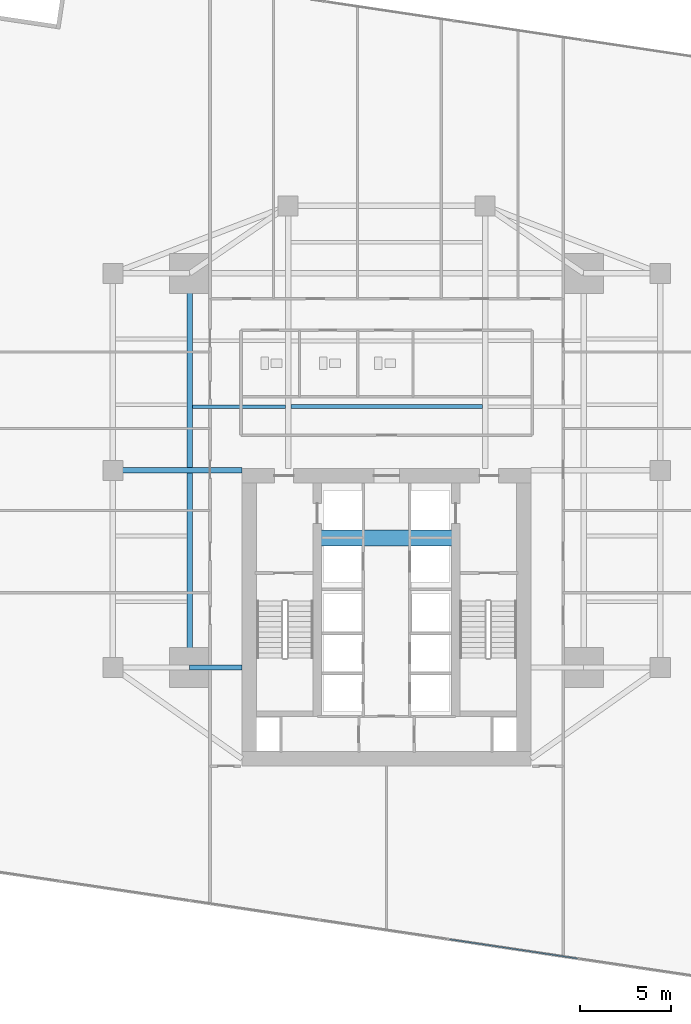
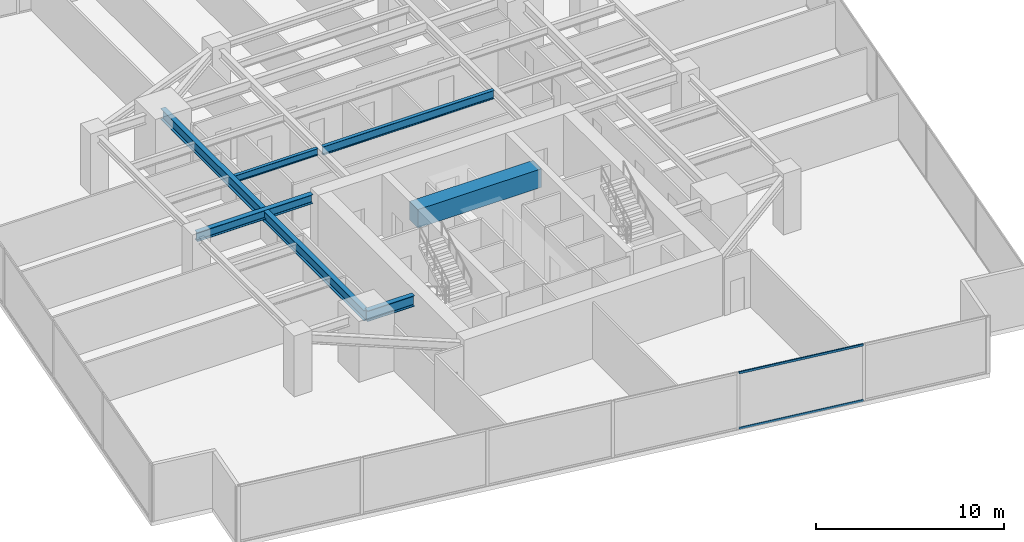
# One storey, part 9 of 29: 6 beams, 2 members, 1 element without a shape of its own.
"""IFC4 building model written with IfcOpenShell, lengths in metres."""

from ifc_helpers import new_model, si_unit, direction, frame, origin, origin_2d, place, context, subcontext, project, spatial, rectangle, hollow_rectangle, i_section, extrude, source, transform, mapped, material, material_profile, profile_set, type_object, type_shapes, element, aggregate, save


model = new_model("IFC4")

# Units and contexts
model_context = context("Model", 3, precision=1e-05, world=origin(), true_north=direction((0.0, 1.0)))
body_context = subcontext(model_context, "Body", "Model", "MODEL_VIEW")
ifc_project = project(units=[si_unit("LENGTHUNIT", "METRE"), si_unit("AREAUNIT", "SQUARE_METRE"), si_unit("VOLUMEUNIT", "CUBIC_METRE"), si_unit("PLANEANGLEUNIT", "RADIAN"), si_unit("MASSUNIT", "GRAM", prefix="KILO")], contexts=[model_context])

# Site, building, storey
site_placement = place(None, origin())
site = spatial("IfcSite", under=ifc_project, at=site_placement, CompositionType="ELEMENT")
building_placement = place(site_placement, origin())
building = spatial("IfcBuilding", under=site, at=building_placement, Name="Krantzveldt Concourse Tower", CompositionType="ELEMENT")
storey_placement = place(building_placement, frame((0.0, 0.0, 72.39990234375)))
storey = spatial("IfcBuildingStorey", under=building, at=storey_placement, Name="L17", CompositionType="ELEMENT", Elevation=72.39990234375)

# Beams
ifc_material_1 = material(Name="Concrete C50/60", Category="concrete")
ifc_material_profile_1 = material_profile(ifc_material_1, rectangle(XDim=0.89990234375, YDim=1.199951171875, at=origin_2d()), Name="Concrete C50/60", Category="concrete")
ifc_profile_set_1 = profile_set([ifc_material_profile_1], Name="Concrete C50/60 - RC-CB 900x1200")
beam_type_1 = type_object("IfcBeamType", Name="BM-CB-1200", PredefinedType="LINTEL", material=ifc_profile_set_1)
shared_shape_1 = source(origin(), body_context, "Body", "SweptSolid", [
    extrude(rectangle(XDim=0.89990234375, YDim=1.199951171875, at=origin_2d()), origin(), (0.0, 0.0, 1.0), 7.580078125),
])
type_shapes(beam_type_1, [shared_shape_1])
beam_1_placement = place(storey_placement, frame((32.2099609375, 23.0, 3.070068359375), z_axis=(1.0, 0.0, 0.0), x_axis=(0.0, 1.0, 0.0)))
element("IfcBeam", 1, at=beam_1_placement, inside=storey, type_object=beam_type_1, Name="CB-L17-01", PredefinedType="LINTEL", context=body_context, shape_type="MappedRepresentation", body=[
    mapped(shared_shape_1, transform((0.0, 0.0, 0.0), x_axis=(1.0, 0.0, 0.0), y_axis=(0.0, 1.0, 0.0), z_axis=(0.0, 0.0, 1.0), scale=1.0)),
])
ifc_material_2 = material(Name="Steel S355J2", Category="steel")
ifc_material_profile_2 = material_profile(ifc_material_2, i_section(OverallWidth=0.300048828125, OverallDepth=0.699951171875, WebThickness=0.01708984375, FlangeThickness=0.031982421875, FilletRadius=0.027099609375, at=origin_2d()), Name="Steel S355J2", Category="steel")
ifc_profile_set_2 = profile_set([ifc_material_profile_2], Name="Steel S355J2 - HEB 700")
beam_type_2 = type_object("IfcBeamType", Name="BM-B-HEB700", PredefinedType="BEAM", material=ifc_profile_set_2)
shared_shape_2 = source(origin(), body_context, "Body", "SweptSolid", [
    extrude(i_section(OverallWidth=0.300048828125, OverallDepth=0.699951171875, WebThickness=0.01708984375, FlangeThickness=0.031982421875, FilletRadius=0.027099609375, at=origin_2d()), origin(), (0.0, 0.0, 1.0), 2.880126953125),
])
beam_2_placement = place(storey_placement, frame((25.199951171875, 15.89990234375, 3.320068359375), z_axis=(1.0, 0.0, 0.0), x_axis=(0.0, 1.0, 0.0)))
element("IfcBeam", 2, at=beam_2_placement, inside=storey, type_object=beam_type_2, Name="L17 Tower Girder BG-CW1", PredefinedType="BEAM", context=body_context, shape_type="MappedRepresentation", body=[
    mapped(shared_shape_2, transform((0.0, 0.0, 0.0), x_axis=(1.0, 0.0, 0.0), y_axis=(0.0, 1.0, 0.0), z_axis=(0.0, 0.0, 1.0), scale=1.0)),
])
shared_shape_3 = source(origin(), body_context, "Body", "SweptSolid", [
    extrude(i_section(OverallWidth=0.300048828125, OverallDepth=0.699951171875, WebThickness=0.01708984375, FlangeThickness=0.031982421875, FilletRadius=0.027099609375, at=origin_2d()), origin(), (0.0, 0.0, 1.0), 21.60009765625),
])
type_shapes(beam_type_2, [shared_shape_2, shared_shape_3])
beam_3_placement = place(storey_placement, frame((25.199951171875, 15.89990234375, 3.320068359375), z_axis=(0.0, 1.0, 0.0), x_axis=(-1.0, 0.0, 0.0)))
element("IfcBeam", 3, at=beam_3_placement, inside=storey, type_object=beam_type_2, Name="L17 Tower Girder BG-MW", PredefinedType="BEAM", context=body_context, shape_type="MappedRepresentation", body=[
    mapped(shared_shape_3, transform((0.0, 0.0, 0.0), x_axis=(1.0, 0.0, 0.0), y_axis=(0.0, 1.0, 0.0), z_axis=(0.0, 0.0, 1.0), scale=1.0)),
])
ifc_material_3 = material(Name="Steel S355JR", Category="steel")
ifc_material_profile_3 = material_profile(ifc_material_3, i_section(OverallWidth=0.300048828125, OverallDepth=0.590087890625, WebThickness=0.012939453125, FlangeThickness=0.02490234375, FilletRadius=0.027099609375, at=origin_2d()), Name="Steel S355JR", Category="steel")
ifc_profile_set_3 = profile_set([ifc_material_profile_3], Name="Steel S355JR - HEA 600")
beam_type_3 = type_object("IfcBeamType", Name="BM-B-HEA600", PredefinedType="BEAM", material=ifc_profile_set_3)
shared_shape_4 = source(origin(), body_context, "Body", "SweptSolid", [
    extrude(i_section(OverallWidth=0.300048828125, OverallDepth=0.590087890625, WebThickness=0.012939453125, FlangeThickness=0.02490234375, FilletRadius=0.027099609375, at=origin_2d()), origin(), (0.0, 0.0, 1.0), 7.080078125),
])
type_shapes(beam_type_3, [shared_shape_4])
beam_4_placement = place(storey_placement, frame((21.0, 26.699951171875, 3.375), z_axis=(1.0, 0.0, 0.0), x_axis=(0.0, 1.0, 0.0)))
element("IfcBeam", 4, at=beam_4_placement, inside=storey, type_object=beam_type_3, Name="L17 Tower Girder BG-CW2", PredefinedType="BEAM", context=body_context, shape_type="MappedRepresentation", body=[
    mapped(shared_shape_4, transform((0.0, 0.0, 0.0), x_axis=(1.0, 0.0, 0.0), y_axis=(0.0, 1.0, 0.0), z_axis=(0.0, 0.0, 1.0), scale=1.0)),
])
ifc_material_profile_4 = material_profile(ifc_material_3, i_section(OverallWidth=0.2099609375, OverallDepth=0.550048828125, WebThickness=0.010986328125, FlangeThickness=0.01708984375, FilletRadius=0.02392578125, at=origin_2d()), Name="Steel S355JR", Category="steel")
ifc_profile_set_4 = profile_set([ifc_material_profile_4], Name="Steel S355JR - IPE 550")
beam_type_4 = type_object("IfcBeamType", Name="BM-J-IPE550", PredefinedType="JOIST", material=ifc_profile_set_4)
shared_shape_5 = source(origin(), body_context, "Body", "SweptSolid", [
    extrude(i_section(OverallWidth=0.2099609375, OverallDepth=0.550048828125, WebThickness=0.010986328125, FlangeThickness=0.01708984375, FilletRadius=0.02392578125, at=origin_2d()), origin(), (0.0, 0.0, 1.0), 10.5),
])
type_shapes(beam_type_4, [shared_shape_5])
beam_5_placement = place(storey_placement, frame((30.75, 30.199951171875, 3.39501953125), z_axis=(1.0, 0.0, 0.0), x_axis=(0.0, 1.0, 0.0)))
element("IfcBeam", 5, at=beam_5_placement, inside=storey, type_object=beam_type_4, Name="L17 Secondary Floor Joist JN-C1", PredefinedType="JOIST", context=body_context, shape_type="MappedRepresentation", body=[
    mapped(shared_shape_5, transform((0.0, 0.0, 0.0), x_axis=(1.0, 0.0, 0.0), y_axis=(0.0, 1.0, 0.0), z_axis=(0.0, 0.0, 1.0), scale=1.0)),
])
ifc_material_profile_5 = material_profile(ifc_material_3, i_section(OverallWidth=0.18994140625, OverallDepth=0.449951171875, WebThickness=0.009521484375, FlangeThickness=0.0146484375, FilletRadius=0.02099609375, at=origin_2d()), Name="Steel S355JR", Category="steel")
ifc_profile_set_5 = profile_set([ifc_material_profile_5], Name="Steel S355JR - IPE 450")
beam_type_5 = type_object("IfcBeamType", Name="BM-J-IPE450", PredefinedType="JOIST", material=ifc_profile_set_5)
shared_shape_6 = source(origin(), body_context, "Body", "SweptSolid", [
    extrude(i_section(OverallWidth=0.18994140625, OverallDepth=0.449951171875, WebThickness=0.009521484375, FlangeThickness=0.0146484375, FilletRadius=0.02099609375, at=origin_2d()), origin(), (0.0, 0.0, 1.0), 5.099853515625),
])
type_shapes(beam_type_5, [shared_shape_6])
beam_6_placement = place(storey_placement, frame((25.35009765625, 30.199951171875, 3.445068359375), z_axis=(1.0, 0.0, 0.0), x_axis=(0.0, 1.0, 0.0)))
element("IfcBeam", 6, at=beam_6_placement, inside=storey, type_object=beam_type_5, Name="L17 Secondary Floor Joist JN-W1", PredefinedType="JOIST", context=body_context, shape_type="MappedRepresentation", body=[
    mapped(shared_shape_6, transform((0.0, 0.0, 0.0), x_axis=(1.0, 0.0, 0.0), y_axis=(0.0, 1.0, 0.0), z_axis=(0.0, 0.0, 1.0), scale=1.0)),
])

# Curtain wall, members
ifc_material_4 = material(Name="Anodised aluminium 6063-T6", Category="aluminium")
curtain_wall_type = type_object("IfcCurtainWallType", Name="CW2", PredefinedType="USERDEFINED", material=ifc_material_4)
curtain_wall_placement = place(storey_placement, origin())
curtain_wall = element("IfcCurtainWall", 7, at=curtain_wall_placement, inside=storey, type_object=curtain_wall_type, Name="CW-L17-F04", ObjectType="UNITISED CURTAIN WALL", PredefinedType="USERDEFINED")
ifc_material_profile_6 = material_profile(ifc_material_4, hollow_rectangle(XDim=0.070068359375, YDim=0.139892578125, WallThickness=0.0048828125, at=origin_2d()), Name="Anodised aluminium 6063-T6", Category="aluminium")
ifc_profile_set_6 = profile_set([ifc_material_profile_6], Name="Anodised aluminium 6063-T6 - ALU-TRAN 140x70x5")
member_type = type_object("IfcMemberType", Name="CW-TRN-150", PredefinedType="USERDEFINED", material=ifc_profile_set_6)
shared_shape_7 = source(origin(), body_context, "Body", "SweptSolid", [
    extrude(hollow_rectangle(XDim=0.070068359375, YDim=0.139892578125, WallThickness=0.0048828125, at=origin_2d()), origin(), (0.0, 0.0, 1.0), 7.096435546875),
])
type_shapes(member_type, [shared_shape_7])
member_1_placement = place(storey_placement, frame((39.440673828125, 0.9990234375, 0.03515625), z_axis=(0.989017962398, -0.147795365468, 0.0), x_axis=(0.147795365468, 0.989017962398, 0.0)))
member_1 = element("IfcMember", 8, at=member_1_placement, type_object=member_type, Name="CW-Z12 transom 5.1", ObjectType="TRANSOM", PredefinedType="USERDEFINED", context=body_context, shape_type="MappedRepresentation", body=[
    mapped(shared_shape_7, transform((0.0, 0.0, 0.0), x_axis=(1.0, 0.0, 0.0), y_axis=(0.0, 1.0, 0.0), z_axis=(0.0, 0.0, 1.0), scale=1.0)),
])
member_2_placement = place(storey_placement, frame((39.440673828125, 0.9990234375, 3.635009765625), z_axis=(0.989017962398, -0.147795365468, 0.0), x_axis=(0.147795365468, 0.989017962398, 0.0)))
member_2 = element("IfcMember", 9, at=member_2_placement, type_object=member_type, Name="CW-Z12 transom 5.2", ObjectType="TRANSOM", PredefinedType="USERDEFINED", context=body_context, shape_type="MappedRepresentation", body=[
    mapped(shared_shape_7, transform((0.0, 0.0, 0.0), x_axis=(1.0, 0.0, 0.0), y_axis=(0.0, 1.0, 0.0), z_axis=(0.0, 0.0, 1.0), scale=1.0)),
])
aggregate(curtain_wall, [member_1, member_2])

save(model, "model.ifc")
